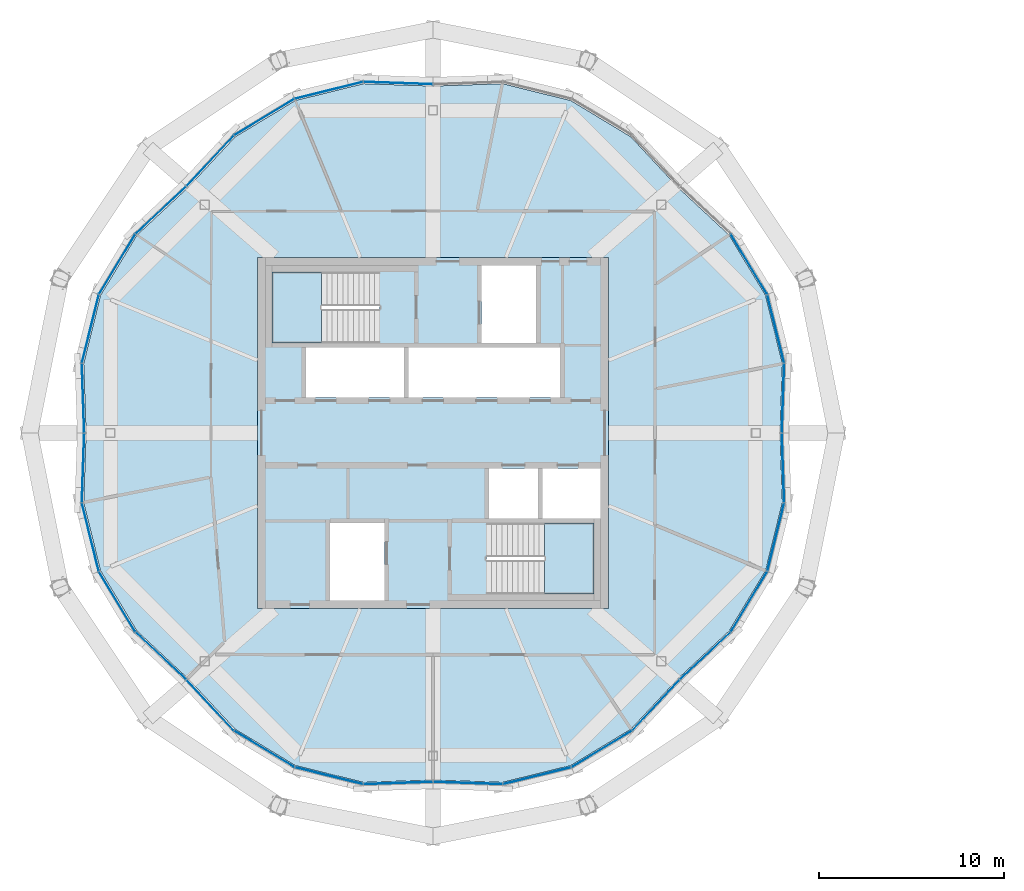
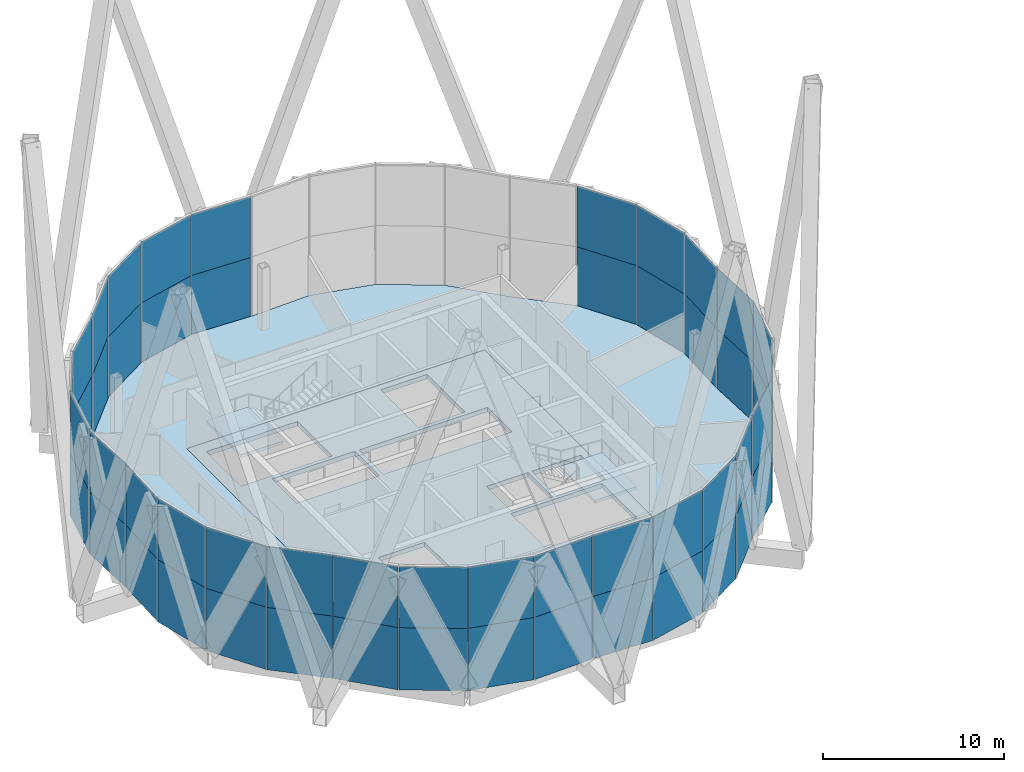
# One storey, part 26 of 38: 54 plates, 4 slabs, 9 elements without a shape of their own.
"""IFC4 building model written with IfcOpenShell, lengths in metres."""

from ifc_helpers import new_model, si_unit, direction, frame, origin, origin_2d, place, context, subcontext, project, spatial, polyline, rectangle, outline, extrude, material, layer, layer_set, type_object, element, aggregate, save


model = new_model("IFC4")

# Units and contexts
model_context = context("Model", 3, precision=1e-05, world=origin(), true_north=direction((0.0, 1.0)))
body_context = subcontext(model_context, "Body", "Model", "MODEL_VIEW")
ifc_project = project(units=[si_unit("LENGTHUNIT", "METRE"), si_unit("AREAUNIT", "SQUARE_METRE"), si_unit("VOLUMEUNIT", "CUBIC_METRE"), si_unit("PLANEANGLEUNIT", "RADIAN"), si_unit("MASSUNIT", "GRAM", prefix="KILO")], contexts=[model_context])

# Site, building, storey
site_placement = place(None, origin())
site = spatial("IfcSite", under=ifc_project, at=site_placement, CompositionType="ELEMENT")
building_placement = place(site_placement, origin())
building = spatial("IfcBuilding", under=site, at=building_placement, Name="Ogive Gate Towers", CompositionType="ELEMENT")
storey_placement = place(building_placement, frame((0.0, 0.0, 268.800048828125)))
storey = spatial("IfcBuildingStorey", under=building, at=storey_placement, Name="L63", CompositionType="ELEMENT", Elevation=268.800048828125)

# Slabs
ifc_material_1 = material(Name="Concrete C40/50", Category="concrete")
ifc_layer_1 = layer(ifc_material_1, 0.300048828125)
ifc_layer_set_1 = layer_set([ifc_layer_1], Name="Core slab C40/50 300 mm")
slab_type_1 = type_object("IfcSlabType", Name="Core slab C40/50 300 mm", PredefinedType="FLOOR", material=ifc_layer_set_1)
slab_1_placement = place(storey_placement, frame((0.0, 0.0, -0.300048828125)))
element("IfcSlab", 1, at=slab_1_placement, inside=storey, type_object=slab_type_1, Name="T1 L63 core slab", PredefinedType="FLOOR", context=body_context, shape_type="SweptSolid", body=[
    extrude(outline(polyline([(-45.5, -9.5), (-45.5, 9.5), (-26.5, 9.5), (-26.5, -9.5), (-45.5, -9.5)]), holes=[polyline([(-42.875, 1.925048828125), (-37.574951171875, 1.925048828125), (-37.574951171875, 4.625), (-42.875, 4.625), (-42.875, 1.925048828125)]), polyline([(-37.324951171875, 4.625), (-37.324951171875, 1.925048828125), (-29.125, 1.925048828125), (-29.125, 4.625), (-37.324951171875, 4.625)]), polyline([(-30.324951171875, -1.925048828125), (-32.97509765625, -1.925048828125), (-32.97509765625, -4.625), (-30.324951171875, -4.625), (-30.324951171875, -1.925048828125)]), polyline([(-26.949951171875, -4.625), (-26.949951171875, -1.925048828125), (-30.074951171875, -1.925048828125), (-30.074951171875, -4.625), (-26.949951171875, -4.625)]), polyline([(-33.375, 4.875), (-30.425048828125, 4.875), (-30.425048828125, 9.050048828125), (-33.375, 9.050048828125), (-33.375, 4.875)]), polyline([(-41.574951171875, -4.875), (-41.574951171875, -9.050048828125), (-38.625, -9.050048828125), (-38.625, -4.875), (-41.574951171875, -4.875)]), polyline([(-44.699951171875, 4.875), (-38.885009765625, 4.875), (-38.885009765625, 8.699951171875), (-44.699951171875, 8.699951171875), (-44.699951171875, 4.875)]), polyline([(-27.300048828125, -8.699951171875), (-27.300048828125, -4.875), (-33.114990234375, -4.875), (-33.114990234375, -8.699951171875), (-27.300048828125, -8.699951171875)])]), origin(), (0.0, 0.0, 1.0), 0.300048828125),
])
ifc_material_2 = material(Name="Concrete C35/45", Category="concrete")
ifc_layer_2 = layer(ifc_material_2, 0.300048828125)
ifc_layer_set_2 = layer_set([ifc_layer_2], Name="Floor slab 300")
slab_type_2 = type_object("IfcSlabType", Name="Floor slab 300", PredefinedType="FLOOR", material=ifc_layer_set_2)
slab_2_placement = place(storey_placement, frame((0.0, 0.0, -0.300048828125)))
element("IfcSlab", 2, at=slab_2_placement, inside=storey, type_object=slab_type_2, Name="T1/L63/SSL001", PredefinedType="FLOOR", context=body_context, shape_type="SweptSolid", body=[
    extrude(outline(polyline([(-17.110107421875, -3.75732421875), (-17.239990234375, 0.0), (-17.110107421875, 3.75732421875), (-18.021240234375, 7.447021484375), (-19.98583984375, 10.7001953125), (-22.734619140625, 13.265380859375), (-25.2998046875, 16.01416015625), (-28.552978515625, 17.978759765625), (-32.24267578125, 18.889892578125), (-36.0, 18.760009765625), (-39.75732421875, 18.889892578125), (-43.447021484375, 17.978759765625), (-46.7001953125, 16.01416015625), (-49.265380859375, 13.265380859375), (-52.01416015625, 10.7001953125), (-53.978759765625, 7.447021484375), (-54.889892578125, 3.75732421875), (-54.760009765625, 0.0), (-54.889892578125, -3.75732421875), (-53.978759765625, -7.447021484375), (-52.01416015625, -10.7001953125), (-49.265380859375, -13.265380859375), (-46.7001953125, -16.01416015625), (-43.447021484375, -17.978759765625), (-39.75732421875, -18.889892578125), (-36.0, -18.760009765625), (-32.24267578125, -18.889892578125), (-28.552978515625, -17.978759765625), (-25.2998046875, -16.01416015625), (-22.734619140625, -13.265380859375), (-19.98583984375, -10.7001953125), (-18.021240234375, -7.447021484375), (-17.110107421875, -3.75732421875)]), holes=[polyline([(-26.5, -9.5), (-45.5, -9.5), (-45.5, 9.5), (-26.5, 9.5), (-26.5, -9.5)])]), origin(), (0.0, 0.0, 1.0), 0.300048828125),
])

# Stair, slab
stair_type = type_object("IfcStairType", Name="Escape stair 1840 wide", PredefinedType="HALF_TURN_STAIR", material=ifc_material_1)
stair_1_placement = place(storey_placement, origin())
stair_1 = element("IfcStair", 3, at=stair_1_placement, inside=storey, type_object=stair_type, Name="L63 Escape stair 1", PredefinedType="HALF_TURN_STAIR")
ifc_layer_3 = layer(ifc_material_1, 0.199951171875)
ifc_layer_set_3 = layer_set([ifc_layer_3], Name="Stair landing 200 mm")
slab_type_3 = type_object("IfcSlabType", Name="Stair landing 200 mm", PredefinedType="LANDING", material=ifc_layer_set_3)
slab_3_placement = place(storey_placement, frame((0.0, 0.0, 1.89990234375)))
slab_3 = element("IfcSlab", 4, at=slab_3_placement, type_object=slab_type_3, Name="ST1 landing 1", PredefinedType="LANDING", context=body_context, shape_type="SweptSolid", body=[
    extrude(outline(polyline([(-42.027587890625, 8.699951171875), (-44.699951171875, 8.699951171875), (-44.699951171875, 4.875), (-42.027587890625, 4.875), (-42.027587890625, 8.699951171875)])), origin(), (0.0, 0.0, 1.0), 0.199951171875),
])
aggregate(stair_1, [slab_3])

stair_2_placement = place(storey_placement, origin())
stair_2 = element("IfcStair", 5, at=stair_2_placement, inside=storey, type_object=stair_type, Name="L63 Escape stair 2", PredefinedType="HALF_TURN_STAIR")
slab_4_placement = place(storey_placement, frame((0.0, 0.0, 1.89990234375)))
slab_4 = element("IfcSlab", 6, at=slab_4_placement, type_object=slab_type_3, Name="ST2 landing 1", PredefinedType="LANDING", context=body_context, shape_type="SweptSolid", body=[
    extrude(outline(polyline([(-29.972412109375, -8.699951171875), (-27.300048828125, -8.699951171875), (-27.300048828125, -4.875), (-29.972412109375, -4.875), (-29.972412109375, -8.699951171875)])), origin(), (0.0, 0.0, 1.0), 0.199951171875),
])
aggregate(stair_2, [slab_4])

# Curtain wall, plates
ifc_material_3 = material(Name="Pale metal aluminium", Category="aluminium")
curtain_wall_type = type_object("IfcCurtainWallType", Name="Tower unitised wall, high zone", PredefinedType="NOTDEFINED", material=ifc_material_3)
curtain_wall_1_placement = place(storey_placement, origin())
curtain_wall_1 = element("IfcCurtainWall", 7, at=curtain_wall_1_placement, inside=storey, type_object=curtain_wall_type, Name="CW2 T1 ECW01", PredefinedType="NOTDEFINED")
ifc_material_4 = material(Name="Clear glass", Category="glass")
ifc_layer_4 = layer(ifc_material_4, 0.028076171875)
ifc_layer_set_4 = layer_set([ifc_layer_4], Name="Tower unitised wall, high zone glass panel")
plate_type = type_object("IfcPlateType", Name="Tower unitised wall, high zone glass panel", PredefinedType="CURTAIN_PANEL", material=ifc_layer_set_4)
plate_1_placement = place(storey_placement, frame((-17.074951171875, 1.882080078125, -0.2998046875), z_axis=(0.0, 0.0, 1.0), x_axis=(0.034533198497, 0.999403551225, 0.0)))
plate_1 = element("IfcPlate", 8, at=plate_1_placement, type_object=plate_type, Name="CW2 glass panel", PredefinedType="CURTAIN_PANEL", context=body_context, shape_type="SweptSolid", body=[
    extrude(rectangle(XDim=3.712158203125, YDim=0.028076171875, at=origin_2d()), origin(), (0.0, 0.0, 1.0), 4.199951171875),
])
plate_2_placement = place(storey_placement, frame((-17.074951171875, 1.882080078125, 3.89990234375), z_axis=(0.0, 0.0, 1.0), x_axis=(0.034533198497, 0.999403551225, 0.0)))
plate_2 = element("IfcPlate", 9, at=plate_2_placement, type_object=plate_type, Name="CW2 glass panel", PredefinedType="CURTAIN_PANEL", context=body_context, shape_type="SweptSolid", body=[
    extrude(rectangle(XDim=3.712158203125, YDim=0.028076171875, at=origin_2d()), origin(), (0.0, 0.0, 1.0), 4.10400390625),
])
plate_3_placement = place(storey_placement, frame((-17.46875, 5.626708984375, -0.2998046875), z_axis=(0.0, 0.0, 1.0), x_axis=(-0.239770576456, 0.97082957859, 0.0)))
plate_3 = element("IfcPlate", 10, at=plate_3_placement, type_object=plate_type, Name="CW2 glass panel", PredefinedType="CURTAIN_PANEL", context=body_context, shape_type="SweptSolid", body=[
    extrude(rectangle(XDim=3.767333984375, YDim=0.028076171875, at=origin_2d()), origin(), (0.0, 0.0, 1.0), 4.199951171875),
])
plate_4_placement = place(storey_placement, frame((-17.46875, 5.626708984375, 3.89990234375), z_axis=(0.0, 0.0, 1.0), x_axis=(-0.239770576456, 0.97082957859, 0.0)))
plate_4 = element("IfcPlate", 11, at=plate_4_placement, type_object=plate_type, Name="CW2 glass panel", PredefinedType="CURTAIN_PANEL", context=body_context, shape_type="SweptSolid", body=[
    extrude(rectangle(XDim=3.767333984375, YDim=0.028076171875, at=origin_2d()), origin(), (0.0, 0.0, 1.0), 4.10400390625),
])
plate_5_placement = place(storey_placement, frame((-18.917724609375, 9.125, -0.2998046875), z_axis=(0.0, 0.0, 1.0), x_axis=(-0.516921837348, 0.856032601057, 0.0)))
plate_5 = element("IfcPlate", 12, at=plate_5_placement, type_object=plate_type, Name="CW2 glass panel", PredefinedType="CURTAIN_PANEL", context=body_context, shape_type="SweptSolid", body=[
    extrude(rectangle(XDim=3.767578125, YDim=0.028076171875, at=origin_2d()), origin(), (0.0, 0.0, 1.0), 4.199951171875),
])
plate_6_placement = place(storey_placement, frame((-18.917724609375, 9.125, 3.89990234375), z_axis=(0.0, 0.0, 1.0), x_axis=(-0.516921837348, 0.856032601057, 0.0)))
plate_6 = element("IfcPlate", 13, at=plate_6_placement, type_object=plate_type, Name="CW2 glass panel", PredefinedType="CURTAIN_PANEL", context=body_context, shape_type="SweptSolid", body=[
    extrude(rectangle(XDim=3.767578125, YDim=0.028076171875, at=origin_2d()), origin(), (0.0, 0.0, 1.0), 4.10400390625),
])
aggregate(curtain_wall_1, [plate_1, plate_2, plate_3, plate_4, plate_5, plate_6])

curtain_wall_2_placement = place(storey_placement, origin())
curtain_wall_2 = element("IfcCurtainWall", 14, at=curtain_wall_2_placement, inside=storey, type_object=curtain_wall_type, Name="CW2 T1 ECW03", PredefinedType="NOTDEFINED")
plate_7_placement = place(storey_placement, frame((-37.882080078125, 18.925048828125, -0.2998046875), z_axis=(0.0, 0.0, 1.0), x_axis=(-0.999403551225, 0.034533198497, 0.0)))
plate_7 = element("IfcPlate", 15, at=plate_7_placement, type_object=plate_type, Name="CW2 glass panel", PredefinedType="CURTAIN_PANEL", context=body_context, shape_type="SweptSolid", body=[
    extrude(rectangle(XDim=3.712158203125, YDim=0.028076171875, at=origin_2d()), origin(), (0.0, 0.0, 1.0), 4.199951171875),
])
plate_8_placement = place(storey_placement, frame((-37.882080078125, 18.925048828125, 3.89990234375), z_axis=(0.0, 0.0, 1.0), x_axis=(-0.999403551225, 0.034533198497, 0.0)))
plate_8 = element("IfcPlate", 16, at=plate_8_placement, type_object=plate_type, Name="CW2 glass panel", PredefinedType="CURTAIN_PANEL", context=body_context, shape_type="SweptSolid", body=[
    extrude(rectangle(XDim=3.712158203125, YDim=0.028076171875, at=origin_2d()), origin(), (0.0, 0.0, 1.0), 4.10400390625),
])
plate_9_placement = place(storey_placement, frame((-41.626708984375, 18.53125, -0.2998046875), z_axis=(0.0, 0.0, 1.0), x_axis=(-0.97082957859, -0.239770576456, 0.0)))
plate_9 = element("IfcPlate", 17, at=plate_9_placement, type_object=plate_type, Name="CW2 glass panel", PredefinedType="CURTAIN_PANEL", context=body_context, shape_type="SweptSolid", body=[
    extrude(rectangle(XDim=3.767333984375, YDim=0.028076171875, at=origin_2d()), origin(), (0.0, 0.0, 1.0), 4.199951171875),
])
plate_10_placement = place(storey_placement, frame((-41.626708984375, 18.53125, 3.89990234375), z_axis=(0.0, 0.0, 1.0), x_axis=(-0.97082957859, -0.239770576456, 0.0)))
plate_10 = element("IfcPlate", 18, at=plate_10_placement, type_object=plate_type, Name="CW2 glass panel", PredefinedType="CURTAIN_PANEL", context=body_context, shape_type="SweptSolid", body=[
    extrude(rectangle(XDim=3.767333984375, YDim=0.028076171875, at=origin_2d()), origin(), (0.0, 0.0, 1.0), 4.10400390625),
])
plate_11_placement = place(storey_placement, frame((-45.125, 17.082275390625, -0.2998046875), z_axis=(0.0, 0.0, 1.0), x_axis=(-0.856032601057, -0.516921837348, 0.0)))
plate_11 = element("IfcPlate", 19, at=plate_11_placement, type_object=plate_type, Name="CW2 glass panel", PredefinedType="CURTAIN_PANEL", context=body_context, shape_type="SweptSolid", body=[
    extrude(rectangle(XDim=3.767578125, YDim=0.028076171875, at=origin_2d()), origin(), (0.0, 0.0, 1.0), 4.199951171875),
])
plate_12_placement = place(storey_placement, frame((-45.125, 17.082275390625, 3.89990234375), z_axis=(0.0, 0.0, 1.0), x_axis=(-0.856032601057, -0.516921837348, 0.0)))
plate_12 = element("IfcPlate", 20, at=plate_12_placement, type_object=plate_type, Name="CW2 glass panel", PredefinedType="CURTAIN_PANEL", context=body_context, shape_type="SweptSolid", body=[
    extrude(rectangle(XDim=3.767578125, YDim=0.028076171875, at=origin_2d()), origin(), (0.0, 0.0, 1.0), 4.10400390625),
])
plate_13_placement = place(storey_placement, frame((-48.05126953125, 14.712890625, -0.2998046875), z_axis=(0.0, 0.0, 1.0), x_axis=(-0.682253609109, -0.73111559473, 0.0)))
plate_13 = element("IfcPlate", 21, at=plate_13_placement, type_object=plate_type, Name="CW2 glass panel", PredefinedType="CURTAIN_PANEL", context=body_context, shape_type="SweptSolid", body=[
    extrude(rectangle(XDim=3.712158203125, YDim=0.028076171875, at=origin_2d()), origin(), (0.0, 0.0, 1.0), 4.199951171875),
])
plate_14_placement = place(storey_placement, frame((-48.05126953125, 14.712890625, 3.89990234375), z_axis=(0.0, 0.0, 1.0), x_axis=(-0.682253609109, -0.73111559473, 0.0)))
plate_14 = element("IfcPlate", 22, at=plate_14_placement, type_object=plate_type, Name="CW2 glass panel", PredefinedType="CURTAIN_PANEL", context=body_context, shape_type="SweptSolid", body=[
    extrude(rectangle(XDim=3.712158203125, YDim=0.028076171875, at=origin_2d()), origin(), (0.0, 0.0, 1.0), 4.10400390625),
])
aggregate(curtain_wall_2, [plate_7, plate_8, plate_9, plate_10, plate_11, plate_12, plate_13, plate_14])

curtain_wall_3_placement = place(storey_placement, origin())
curtain_wall_3 = element("IfcCurtainWall", 23, at=curtain_wall_3_placement, inside=storey, type_object=curtain_wall_type, Name="CW2 T1 ECW04", PredefinedType="NOTDEFINED")
plate_15_placement = place(storey_placement, frame((-50.712890625, 12.05126953125, -0.2998046875), z_axis=(0.0, 0.0, 1.0), x_axis=(-0.73111559473, -0.682253609109, 0.0)))
plate_15 = element("IfcPlate", 24, at=plate_15_placement, type_object=plate_type, Name="CW2 glass panel", PredefinedType="CURTAIN_PANEL", context=body_context, shape_type="SweptSolid", body=[
    extrude(rectangle(XDim=3.712158203125, YDim=0.028076171875, at=origin_2d()), origin(), (0.0, 0.0, 1.0), 4.199951171875),
])
plate_16_placement = place(storey_placement, frame((-50.712890625, 12.05126953125, 3.89990234375), z_axis=(0.0, 0.0, 1.0), x_axis=(-0.73111559473, -0.682253609109, 0.0)))
plate_16 = element("IfcPlate", 25, at=plate_16_placement, type_object=plate_type, Name="CW2 glass panel", PredefinedType="CURTAIN_PANEL", context=body_context, shape_type="SweptSolid", body=[
    extrude(rectangle(XDim=3.712158203125, YDim=0.028076171875, at=origin_2d()), origin(), (0.0, 0.0, 1.0), 4.10400390625),
])
plate_17_placement = place(storey_placement, frame((-53.082275390625, 9.125, -0.2998046875), z_axis=(0.0, 0.0, 1.0), x_axis=(-0.516921837348, -0.856032601057, 0.0)))
plate_17 = element("IfcPlate", 26, at=plate_17_placement, type_object=plate_type, Name="CW2 glass panel", PredefinedType="CURTAIN_PANEL", context=body_context, shape_type="SweptSolid", body=[
    extrude(rectangle(XDim=3.767578125, YDim=0.028076171875, at=origin_2d()), origin(), (0.0, 0.0, 1.0), 4.199951171875),
])
plate_18_placement = place(storey_placement, frame((-53.082275390625, 9.125, 3.89990234375), z_axis=(0.0, 0.0, 1.0), x_axis=(-0.516921837348, -0.856032601057, 0.0)))
plate_18 = element("IfcPlate", 27, at=plate_18_placement, type_object=plate_type, Name="CW2 glass panel", PredefinedType="CURTAIN_PANEL", context=body_context, shape_type="SweptSolid", body=[
    extrude(rectangle(XDim=3.767578125, YDim=0.028076171875, at=origin_2d()), origin(), (0.0, 0.0, 1.0), 4.10400390625),
])
plate_19_placement = place(storey_placement, frame((-54.53125, 5.626708984375, -0.2998046875), z_axis=(0.0, 0.0, 1.0), x_axis=(-0.239770576456, -0.97082957859, 0.0)))
plate_19 = element("IfcPlate", 28, at=plate_19_placement, type_object=plate_type, Name="CW2 glass panel", PredefinedType="CURTAIN_PANEL", context=body_context, shape_type="SweptSolid", body=[
    extrude(rectangle(XDim=3.767333984375, YDim=0.028076171875, at=origin_2d()), origin(), (0.0, 0.0, 1.0), 4.199951171875),
])
plate_20_placement = place(storey_placement, frame((-54.53125, 5.626708984375, 3.89990234375), z_axis=(0.0, 0.0, 1.0), x_axis=(-0.239770576456, -0.97082957859, 0.0)))
plate_20 = element("IfcPlate", 29, at=plate_20_placement, type_object=plate_type, Name="CW2 glass panel", PredefinedType="CURTAIN_PANEL", context=body_context, shape_type="SweptSolid", body=[
    extrude(rectangle(XDim=3.767333984375, YDim=0.028076171875, at=origin_2d()), origin(), (0.0, 0.0, 1.0), 4.10400390625),
])
plate_21_placement = place(storey_placement, frame((-54.925048828125, 1.882080078125, -0.2998046875), z_axis=(0.0, 0.0, 1.0), x_axis=(0.034533198497, -0.999403551225, 0.0)))
plate_21 = element("IfcPlate", 30, at=plate_21_placement, type_object=plate_type, Name="CW2 glass panel", PredefinedType="CURTAIN_PANEL", context=body_context, shape_type="SweptSolid", body=[
    extrude(rectangle(XDim=3.712158203125, YDim=0.028076171875, at=origin_2d()), origin(), (0.0, 0.0, 1.0), 4.199951171875),
])
plate_22_placement = place(storey_placement, frame((-54.925048828125, 1.882080078125, 3.89990234375), z_axis=(0.0, 0.0, 1.0), x_axis=(0.034533198497, -0.999403551225, 0.0)))
plate_22 = element("IfcPlate", 31, at=plate_22_placement, type_object=plate_type, Name="CW2 glass panel", PredefinedType="CURTAIN_PANEL", context=body_context, shape_type="SweptSolid", body=[
    extrude(rectangle(XDim=3.712158203125, YDim=0.028076171875, at=origin_2d()), origin(), (0.0, 0.0, 1.0), 4.10400390625),
])
aggregate(curtain_wall_3, [plate_15, plate_16, plate_17, plate_18, plate_19, plate_20, plate_21, plate_22])

curtain_wall_4_placement = place(storey_placement, origin())
curtain_wall_4 = element("IfcCurtainWall", 32, at=curtain_wall_4_placement, inside=storey, type_object=curtain_wall_type, Name="CW2 T1 ECW05", PredefinedType="NOTDEFINED")
plate_23_placement = place(storey_placement, frame((-54.925048828125, -1.882080078125, -0.2998046875), z_axis=(0.0, 0.0, 1.0), x_axis=(-0.034533198497, -0.999403551225, 0.0)))
plate_23 = element("IfcPlate", 33, at=plate_23_placement, type_object=plate_type, Name="CW2 glass panel", PredefinedType="CURTAIN_PANEL", context=body_context, shape_type="SweptSolid", body=[
    extrude(rectangle(XDim=3.712158203125, YDim=0.028076171875, at=origin_2d()), origin(), (0.0, 0.0, 1.0), 4.199951171875),
])
plate_24_placement = place(storey_placement, frame((-54.925048828125, -1.882080078125, 3.89990234375), z_axis=(0.0, 0.0, 1.0), x_axis=(-0.034533198497, -0.999403551225, 0.0)))
plate_24 = element("IfcPlate", 34, at=plate_24_placement, type_object=plate_type, Name="CW2 glass panel", PredefinedType="CURTAIN_PANEL", context=body_context, shape_type="SweptSolid", body=[
    extrude(rectangle(XDim=3.712158203125, YDim=0.028076171875, at=origin_2d()), origin(), (0.0, 0.0, 1.0), 4.10400390625),
])
plate_25_placement = place(storey_placement, frame((-54.53125, -5.626708984375, -0.2998046875), z_axis=(0.0, 0.0, 1.0), x_axis=(0.239770576456, -0.97082957859, 0.0)))
plate_25 = element("IfcPlate", 35, at=plate_25_placement, type_object=plate_type, Name="CW2 glass panel", PredefinedType="CURTAIN_PANEL", context=body_context, shape_type="SweptSolid", body=[
    extrude(rectangle(XDim=3.767333984375, YDim=0.028076171875, at=origin_2d()), origin(), (0.0, 0.0, 1.0), 4.199951171875),
])
plate_26_placement = place(storey_placement, frame((-54.53125, -5.626708984375, 3.89990234375), z_axis=(0.0, 0.0, 1.0), x_axis=(0.239770576456, -0.97082957859, 0.0)))
plate_26 = element("IfcPlate", 36, at=plate_26_placement, type_object=plate_type, Name="CW2 glass panel", PredefinedType="CURTAIN_PANEL", context=body_context, shape_type="SweptSolid", body=[
    extrude(rectangle(XDim=3.767333984375, YDim=0.028076171875, at=origin_2d()), origin(), (0.0, 0.0, 1.0), 4.10400390625),
])
plate_27_placement = place(storey_placement, frame((-53.082275390625, -9.125, -0.2998046875), z_axis=(0.0, 0.0, 1.0), x_axis=(0.516921837348, -0.856032601057, 0.0)))
plate_27 = element("IfcPlate", 37, at=plate_27_placement, type_object=plate_type, Name="CW2 glass panel", PredefinedType="CURTAIN_PANEL", context=body_context, shape_type="SweptSolid", body=[
    extrude(rectangle(XDim=3.767578125, YDim=0.028076171875, at=origin_2d()), origin(), (0.0, 0.0, 1.0), 4.199951171875),
])
plate_28_placement = place(storey_placement, frame((-53.082275390625, -9.125, 3.89990234375), z_axis=(0.0, 0.0, 1.0), x_axis=(0.516921837348, -0.856032601057, 0.0)))
plate_28 = element("IfcPlate", 38, at=plate_28_placement, type_object=plate_type, Name="CW2 glass panel", PredefinedType="CURTAIN_PANEL", context=body_context, shape_type="SweptSolid", body=[
    extrude(rectangle(XDim=3.767578125, YDim=0.028076171875, at=origin_2d()), origin(), (0.0, 0.0, 1.0), 4.10400390625),
])
plate_29_placement = place(storey_placement, frame((-50.712890625, -12.05126953125, -0.2998046875), z_axis=(0.0, 0.0, 1.0), x_axis=(0.73111559473, -0.682253609109, 0.0)))
plate_29 = element("IfcPlate", 39, at=plate_29_placement, type_object=plate_type, Name="CW2 glass panel", PredefinedType="CURTAIN_PANEL", context=body_context, shape_type="SweptSolid", body=[
    extrude(rectangle(XDim=3.712158203125, YDim=0.028076171875, at=origin_2d()), origin(), (0.0, 0.0, 1.0), 4.199951171875),
])
plate_30_placement = place(storey_placement, frame((-50.712890625, -12.05126953125, 3.89990234375), z_axis=(0.0, 0.0, 1.0), x_axis=(0.73111559473, -0.682253609109, 0.0)))
plate_30 = element("IfcPlate", 40, at=plate_30_placement, type_object=plate_type, Name="CW2 glass panel", PredefinedType="CURTAIN_PANEL", context=body_context, shape_type="SweptSolid", body=[
    extrude(rectangle(XDim=3.712158203125, YDim=0.028076171875, at=origin_2d()), origin(), (0.0, 0.0, 1.0), 4.10400390625),
])
aggregate(curtain_wall_4, [plate_23, plate_24, plate_25, plate_26, plate_27, plate_28, plate_29, plate_30])

curtain_wall_5_placement = place(storey_placement, origin())
curtain_wall_5 = element("IfcCurtainWall", 41, at=curtain_wall_5_placement, inside=storey, type_object=curtain_wall_type, Name="CW2 T1 ECW06", PredefinedType="NOTDEFINED")
plate_31_placement = place(storey_placement, frame((-48.05126953125, -14.712890625, -0.2998046875), z_axis=(0.0, 0.0, 1.0), x_axis=(0.682253609109, -0.73111559473, 0.0)))
plate_31 = element("IfcPlate", 42, at=plate_31_placement, type_object=plate_type, Name="CW2 glass panel", PredefinedType="CURTAIN_PANEL", context=body_context, shape_type="SweptSolid", body=[
    extrude(rectangle(XDim=3.712158203125, YDim=0.028076171875, at=origin_2d()), origin(), (0.0, 0.0, 1.0), 4.199951171875),
])
plate_32_placement = place(storey_placement, frame((-48.05126953125, -14.712890625, 3.89990234375), z_axis=(0.0, 0.0, 1.0), x_axis=(0.682253609109, -0.73111559473, 0.0)))
plate_32 = element("IfcPlate", 43, at=plate_32_placement, type_object=plate_type, Name="CW2 glass panel", PredefinedType="CURTAIN_PANEL", context=body_context, shape_type="SweptSolid", body=[
    extrude(rectangle(XDim=3.712158203125, YDim=0.028076171875, at=origin_2d()), origin(), (0.0, 0.0, 1.0), 4.10400390625),
])
plate_33_placement = place(storey_placement, frame((-45.125, -17.082275390625, -0.2998046875), z_axis=(0.0, 0.0, 1.0), x_axis=(0.856032601057, -0.516921837348, 0.0)))
plate_33 = element("IfcPlate", 44, at=plate_33_placement, type_object=plate_type, Name="CW2 glass panel", PredefinedType="CURTAIN_PANEL", context=body_context, shape_type="SweptSolid", body=[
    extrude(rectangle(XDim=3.767578125, YDim=0.028076171875, at=origin_2d()), origin(), (0.0, 0.0, 1.0), 4.199951171875),
])
plate_34_placement = place(storey_placement, frame((-45.125, -17.082275390625, 3.89990234375), z_axis=(0.0, 0.0, 1.0), x_axis=(0.856032601057, -0.516921837348, 0.0)))
plate_34 = element("IfcPlate", 45, at=plate_34_placement, type_object=plate_type, Name="CW2 glass panel", PredefinedType="CURTAIN_PANEL", context=body_context, shape_type="SweptSolid", body=[
    extrude(rectangle(XDim=3.767578125, YDim=0.028076171875, at=origin_2d()), origin(), (0.0, 0.0, 1.0), 4.10400390625),
])
plate_35_placement = place(storey_placement, frame((-41.626708984375, -18.53125, -0.2998046875), z_axis=(0.0, 0.0, 1.0), x_axis=(0.97082957859, -0.239770576456, 0.0)))
plate_35 = element("IfcPlate", 46, at=plate_35_placement, type_object=plate_type, Name="CW2 glass panel", PredefinedType="CURTAIN_PANEL", context=body_context, shape_type="SweptSolid", body=[
    extrude(rectangle(XDim=3.767333984375, YDim=0.028076171875, at=origin_2d()), origin(), (0.0, 0.0, 1.0), 4.199951171875),
])
plate_36_placement = place(storey_placement, frame((-41.626708984375, -18.53125, 3.89990234375), z_axis=(0.0, 0.0, 1.0), x_axis=(0.97082957859, -0.239770576456, 0.0)))
plate_36 = element("IfcPlate", 47, at=plate_36_placement, type_object=plate_type, Name="CW2 glass panel", PredefinedType="CURTAIN_PANEL", context=body_context, shape_type="SweptSolid", body=[
    extrude(rectangle(XDim=3.767333984375, YDim=0.028076171875, at=origin_2d()), origin(), (0.0, 0.0, 1.0), 4.10400390625),
])
plate_37_placement = place(storey_placement, frame((-37.882080078125, -18.925048828125, -0.2998046875), z_axis=(0.0, 0.0, 1.0), x_axis=(0.999403551225, 0.034533198497, 0.0)))
plate_37 = element("IfcPlate", 48, at=plate_37_placement, type_object=plate_type, Name="CW2 glass panel", PredefinedType="CURTAIN_PANEL", context=body_context, shape_type="SweptSolid", body=[
    extrude(rectangle(XDim=3.712158203125, YDim=0.028076171875, at=origin_2d()), origin(), (0.0, 0.0, 1.0), 4.199951171875),
])
plate_38_placement = place(storey_placement, frame((-37.882080078125, -18.925048828125, 3.89990234375), z_axis=(0.0, 0.0, 1.0), x_axis=(0.999403551225, 0.034533198497, 0.0)))
plate_38 = element("IfcPlate", 49, at=plate_38_placement, type_object=plate_type, Name="CW2 glass panel", PredefinedType="CURTAIN_PANEL", context=body_context, shape_type="SweptSolid", body=[
    extrude(rectangle(XDim=3.712158203125, YDim=0.028076171875, at=origin_2d()), origin(), (0.0, 0.0, 1.0), 4.10400390625),
])
aggregate(curtain_wall_5, [plate_31, plate_32, plate_33, plate_34, plate_35, plate_36, plate_37, plate_38])

curtain_wall_6_placement = place(storey_placement, origin())
curtain_wall_6 = element("IfcCurtainWall", 50, at=curtain_wall_6_placement, inside=storey, type_object=curtain_wall_type, Name="CW2 T1 ECW07", PredefinedType="NOTDEFINED")
plate_39_placement = place(storey_placement, frame((-34.117919921875, -18.925048828125, -0.2998046875), z_axis=(0.0, 0.0, 1.0), x_axis=(0.999403551225, -0.034533198497, 0.0)))
plate_39 = element("IfcPlate", 51, at=plate_39_placement, type_object=plate_type, Name="CW2 glass panel", PredefinedType="CURTAIN_PANEL", context=body_context, shape_type="SweptSolid", body=[
    extrude(rectangle(XDim=3.712158203125, YDim=0.028076171875, at=origin_2d()), origin(), (0.0, 0.0, 1.0), 4.199951171875),
])
plate_40_placement = place(storey_placement, frame((-34.117919921875, -18.925048828125, 3.89990234375), z_axis=(0.0, 0.0, 1.0), x_axis=(0.999403551225, -0.034533198497, 0.0)))
plate_40 = element("IfcPlate", 52, at=plate_40_placement, type_object=plate_type, Name="CW2 glass panel", PredefinedType="CURTAIN_PANEL", context=body_context, shape_type="SweptSolid", body=[
    extrude(rectangle(XDim=3.712158203125, YDim=0.028076171875, at=origin_2d()), origin(), (0.0, 0.0, 1.0), 4.10400390625),
])
plate_41_placement = place(storey_placement, frame((-30.373291015625, -18.53125, -0.2998046875), z_axis=(0.0, 0.0, 1.0), x_axis=(0.97082957859, 0.239770576456, 0.0)))
plate_41 = element("IfcPlate", 53, at=plate_41_placement, type_object=plate_type, Name="CW2 glass panel", PredefinedType="CURTAIN_PANEL", context=body_context, shape_type="SweptSolid", body=[
    extrude(rectangle(XDim=3.767333984375, YDim=0.028076171875, at=origin_2d()), origin(), (0.0, 0.0, 1.0), 4.199951171875),
])
plate_42_placement = place(storey_placement, frame((-30.373291015625, -18.53125, 3.89990234375), z_axis=(0.0, 0.0, 1.0), x_axis=(0.97082957859, 0.239770576456, 0.0)))
plate_42 = element("IfcPlate", 54, at=plate_42_placement, type_object=plate_type, Name="CW2 glass panel", PredefinedType="CURTAIN_PANEL", context=body_context, shape_type="SweptSolid", body=[
    extrude(rectangle(XDim=3.767333984375, YDim=0.028076171875, at=origin_2d()), origin(), (0.0, 0.0, 1.0), 4.10400390625),
])
plate_43_placement = place(storey_placement, frame((-26.875, -17.082275390625, -0.2998046875), z_axis=(0.0, 0.0, 1.0), x_axis=(0.856032601057, 0.516921837348, 0.0)))
plate_43 = element("IfcPlate", 55, at=plate_43_placement, type_object=plate_type, Name="CW2 glass panel", PredefinedType="CURTAIN_PANEL", context=body_context, shape_type="SweptSolid", body=[
    extrude(rectangle(XDim=3.767578125, YDim=0.028076171875, at=origin_2d()), origin(), (0.0, 0.0, 1.0), 4.199951171875),
])
plate_44_placement = place(storey_placement, frame((-26.875, -17.082275390625, 3.89990234375), z_axis=(0.0, 0.0, 1.0), x_axis=(0.856032601057, 0.516921837348, 0.0)))
plate_44 = element("IfcPlate", 56, at=plate_44_placement, type_object=plate_type, Name="CW2 glass panel", PredefinedType="CURTAIN_PANEL", context=body_context, shape_type="SweptSolid", body=[
    extrude(rectangle(XDim=3.767578125, YDim=0.028076171875, at=origin_2d()), origin(), (0.0, 0.0, 1.0), 4.10400390625),
])
plate_45_placement = place(storey_placement, frame((-23.94873046875, -14.712890625, -0.2998046875), z_axis=(0.0, 0.0, 1.0), x_axis=(0.682253609109, 0.73111559473, 0.0)))
plate_45 = element("IfcPlate", 57, at=plate_45_placement, type_object=plate_type, Name="CW2 glass panel", PredefinedType="CURTAIN_PANEL", context=body_context, shape_type="SweptSolid", body=[
    extrude(rectangle(XDim=3.712158203125, YDim=0.028076171875, at=origin_2d()), origin(), (0.0, 0.0, 1.0), 4.199951171875),
])
plate_46_placement = place(storey_placement, frame((-23.94873046875, -14.712890625, 3.89990234375), z_axis=(0.0, 0.0, 1.0), x_axis=(0.682253609109, 0.73111559473, 0.0)))
plate_46 = element("IfcPlate", 58, at=plate_46_placement, type_object=plate_type, Name="CW2 glass panel", PredefinedType="CURTAIN_PANEL", context=body_context, shape_type="SweptSolid", body=[
    extrude(rectangle(XDim=3.712158203125, YDim=0.028076171875, at=origin_2d()), origin(), (0.0, 0.0, 1.0), 4.10400390625),
])
aggregate(curtain_wall_6, [plate_39, plate_40, plate_41, plate_42, plate_43, plate_44, plate_45, plate_46])

curtain_wall_7_placement = place(storey_placement, origin())
curtain_wall_7 = element("IfcCurtainWall", 59, at=curtain_wall_7_placement, inside=storey, type_object=curtain_wall_type, Name="CW2 T1 ECW08", PredefinedType="NOTDEFINED")
plate_47_placement = place(storey_placement, frame((-21.287109375, -12.05126953125, -0.2998046875), z_axis=(0.0, 0.0, 1.0), x_axis=(0.73111559473, 0.682253609109, 0.0)))
plate_47 = element("IfcPlate", 60, at=plate_47_placement, type_object=plate_type, Name="CW2 glass panel", PredefinedType="CURTAIN_PANEL", context=body_context, shape_type="SweptSolid", body=[
    extrude(rectangle(XDim=3.712158203125, YDim=0.028076171875, at=origin_2d()), origin(), (0.0, 0.0, 1.0), 4.199951171875),
])
plate_48_placement = place(storey_placement, frame((-21.287109375, -12.05126953125, 3.89990234375), z_axis=(0.0, 0.0, 1.0), x_axis=(0.73111559473, 0.682253609109, 0.0)))
plate_48 = element("IfcPlate", 61, at=plate_48_placement, type_object=plate_type, Name="CW2 glass panel", PredefinedType="CURTAIN_PANEL", context=body_context, shape_type="SweptSolid", body=[
    extrude(rectangle(XDim=3.712158203125, YDim=0.028076171875, at=origin_2d()), origin(), (0.0, 0.0, 1.0), 4.10400390625),
])
plate_49_placement = place(storey_placement, frame((-18.917724609375, -9.125, -0.2998046875), z_axis=(0.0, 0.0, 1.0), x_axis=(0.516921837348, 0.856032601057, 0.0)))
plate_49 = element("IfcPlate", 62, at=plate_49_placement, type_object=plate_type, Name="CW2 glass panel", PredefinedType="CURTAIN_PANEL", context=body_context, shape_type="SweptSolid", body=[
    extrude(rectangle(XDim=3.767578125, YDim=0.028076171875, at=origin_2d()), origin(), (0.0, 0.0, 1.0), 4.199951171875),
])
plate_50_placement = place(storey_placement, frame((-18.917724609375, -9.125, 3.89990234375), z_axis=(0.0, 0.0, 1.0), x_axis=(0.516921837348, 0.856032601057, 0.0)))
plate_50 = element("IfcPlate", 63, at=plate_50_placement, type_object=plate_type, Name="CW2 glass panel", PredefinedType="CURTAIN_PANEL", context=body_context, shape_type="SweptSolid", body=[
    extrude(rectangle(XDim=3.767578125, YDim=0.028076171875, at=origin_2d()), origin(), (0.0, 0.0, 1.0), 4.10400390625),
])
plate_51_placement = place(storey_placement, frame((-17.46875, -5.626708984375, -0.2998046875), z_axis=(0.0, 0.0, 1.0), x_axis=(0.239770576456, 0.97082957859, 0.0)))
plate_51 = element("IfcPlate", 64, at=plate_51_placement, type_object=plate_type, Name="CW2 glass panel", PredefinedType="CURTAIN_PANEL", context=body_context, shape_type="SweptSolid", body=[
    extrude(rectangle(XDim=3.767333984375, YDim=0.028076171875, at=origin_2d()), origin(), (0.0, 0.0, 1.0), 4.199951171875),
])
plate_52_placement = place(storey_placement, frame((-17.46875, -5.626708984375, 3.89990234375), z_axis=(0.0, 0.0, 1.0), x_axis=(0.239770576456, 0.97082957859, 0.0)))
plate_52 = element("IfcPlate", 65, at=plate_52_placement, type_object=plate_type, Name="CW2 glass panel", PredefinedType="CURTAIN_PANEL", context=body_context, shape_type="SweptSolid", body=[
    extrude(rectangle(XDim=3.767333984375, YDim=0.028076171875, at=origin_2d()), origin(), (0.0, 0.0, 1.0), 4.10400390625),
])
plate_53_placement = place(storey_placement, frame((-17.074951171875, -1.882080078125, -0.2998046875), z_axis=(0.0, 0.0, 1.0), x_axis=(-0.034533198497, 0.999403551225, 0.0)))
plate_53 = element("IfcPlate", 66, at=plate_53_placement, type_object=plate_type, Name="CW2 glass panel", PredefinedType="CURTAIN_PANEL", context=body_context, shape_type="SweptSolid", body=[
    extrude(rectangle(XDim=3.712158203125, YDim=0.028076171875, at=origin_2d()), origin(), (0.0, 0.0, 1.0), 4.199951171875),
])
plate_54_placement = place(storey_placement, frame((-17.074951171875, -1.882080078125, 3.89990234375), z_axis=(0.0, 0.0, 1.0), x_axis=(-0.034533198497, 0.999403551225, 0.0)))
plate_54 = element("IfcPlate", 67, at=plate_54_placement, type_object=plate_type, Name="CW2 glass panel", PredefinedType="CURTAIN_PANEL", context=body_context, shape_type="SweptSolid", body=[
    extrude(rectangle(XDim=3.712158203125, YDim=0.028076171875, at=origin_2d()), origin(), (0.0, 0.0, 1.0), 4.10400390625),
])
aggregate(curtain_wall_7, [plate_47, plate_48, plate_49, plate_50, plate_51, plate_52, plate_53, plate_54])

save(model, "model.ifc")
